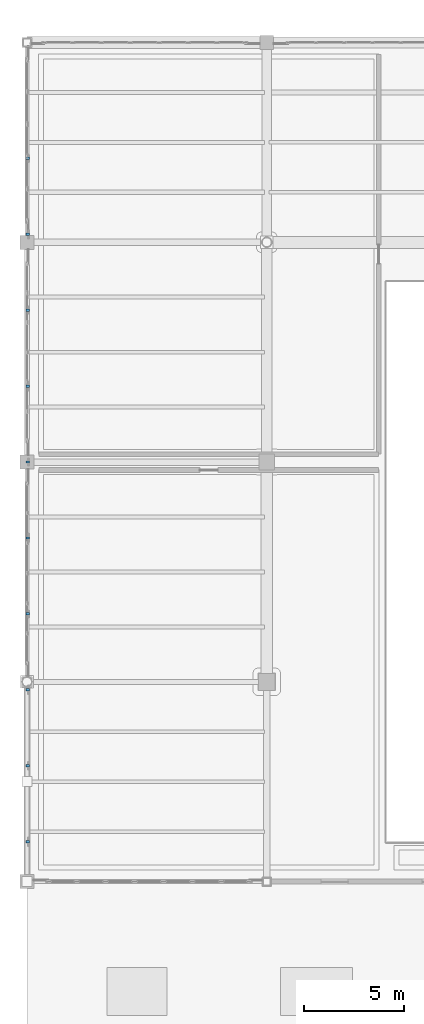
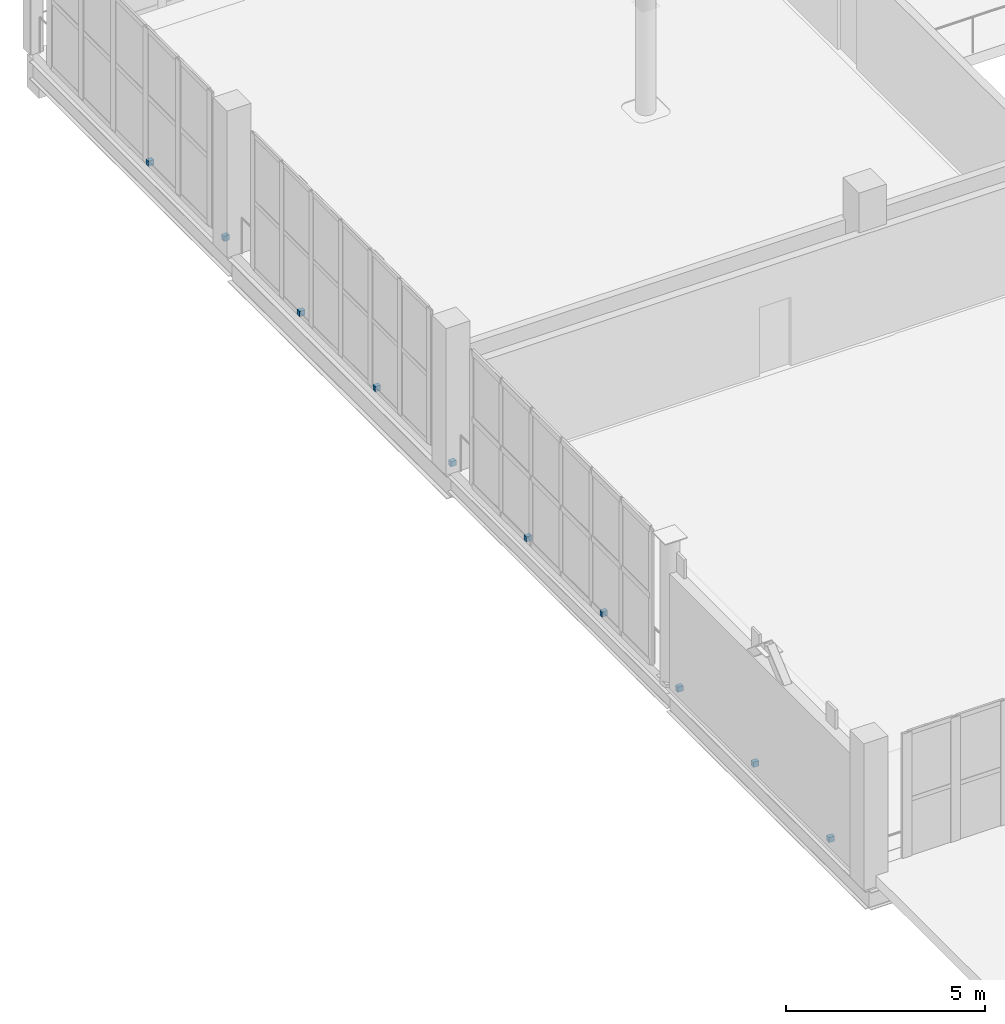
# One storey, part 92 of 108: 10 discrete accessories.
"""IFC4 building model written with IfcOpenShell, lengths in metres."""

from ifc_helpers import new_model, si_unit, direction, frame, origin, origin_2d, place, context, subcontext, project, spatial, rectangle, extrude, material, layer, layer_set, type_object, element, save


model = new_model("IFC4")

# Units and contexts
model_context = context("Model", 3, precision=1e-05, world=origin(), true_north=direction((0.0, 1.0)))
body_context = subcontext(model_context, "Body", "Model", "MODEL_VIEW")
ifc_project = project(units=[si_unit("LENGTHUNIT", "METRE"), si_unit("AREAUNIT", "SQUARE_METRE"), si_unit("VOLUMEUNIT", "CUBIC_METRE"), si_unit("PLANEANGLEUNIT", "RADIAN"), si_unit("MASSUNIT", "GRAM", prefix="KILO")], contexts=[model_context])

# Site, building, storey
site_placement = place(None, origin())
site = spatial("IfcSite", under=ifc_project, at=site_placement, CompositionType="ELEMENT")
building_placement = place(site_placement, origin())
building = spatial("IfcBuilding", under=site, at=building_placement, Name="Brinegate Civic Arena", CompositionType="ELEMENT")
storey_placement = place(building_placement, frame((0.0, 0.0, 10.199951171875)))
storey = spatial("IfcBuildingStorey", under=building, at=storey_placement, Name="L02", CompositionType="ELEMENT", Elevation=10.199951171875)

# Discrete accessories
ifc_material = material(Name="Galvanized hurricane steel", Category="steel")
ifc_layer = layer(ifc_material, 0.080078125, Name="Galvanized hurricane steel")
ifc_layer_set = layer_set([ifc_layer], Name="Galvanized hurricane steel")
discrete_accessory_type = type_object("IfcDiscreteAccessoryType", Name="BRACKET-FACADE-160", PredefinedType="BRACKET", material=ifc_layer_set)
for number, where, z_axis, x_axis, name in (
    (1, (0.0400390625, 12.0, -0.02978515625), (0.0, 0.0, 1.0), (1.0, 0.0, 0.0), "Solar Fin Base Bracket BRK-FIN-WH-01"),
    (2, (0.0400390625, 15.800048828125, -0.02978515625), (0.0, 0.0, 1.0), (1.0, 0.0, 0.0), "Solar Fin Base Bracket BRK-FIN-WH-02"),
    (3, (0.0400390625, 19.60009765625, -0.02978515625), (0.0, 0.0, 1.0), (1.0, 0.0, 0.0), "Solar Fin Base Bracket BRK-FIN-WH-03"),
    (4, (0.0400390625, 23.39990234375, -0.02978515625), (0.0, 0.0, 1.0), (1.0, 0.0, 0.0), "Solar Fin Base Bracket BRK-FIN-WH-04"),
    (5, (0.0400390625, 27.199951171875, -0.02978515625), (0.0, 0.0, 1.0), (1.0, 0.0, 0.0), "Solar Fin Base Bracket BRK-FIN-WH-05"),
    (6, (0.0400390625, 31.0, -0.02978515625), (0.0, 0.0, 1.0), (1.0, 0.0, 0.0), "Solar Fin Base Bracket BRK-FIN-WH-06"),
    (7, (0.0400390625, 34.800048828125, -0.02978515625), (0.0, 0.0, 1.0), (1.0, 0.0, 0.0), "Solar Fin Base Bracket BRK-FIN-WH-07"),
    (8, (0.0400390625, 38.60009765625, -0.02978515625), (0.0, 0.0, 1.0), (1.0, 0.0, 0.0), "Solar Fin Base Bracket BRK-FIN-WH-08"),
    (9, (0.0400390625, 42.39990234375, -0.02978515625), (0.0, 0.0, 1.0), (1.0, 0.0, 0.0), "Solar Fin Base Bracket BRK-FIN-WH-09"),
    (10, (0.0400390625, 46.199951171875, -0.02978515625), (0.0, 0.0, 1.0), (1.0, 0.0, 0.0), "Solar Fin Base Bracket BRK-FIN-WH-10"),
):
    element("IfcDiscreteAccessory", number, at=place(storey_placement, frame(where, z_axis=z_axis, x_axis=x_axis)), inside=storey, type_object=discrete_accessory_type, Name=name, PredefinedType="BRACKET", context=body_context, shape_type="SweptSolid", body=[
        extrude(rectangle(XDim=0.159912109375, YDim=0.1201171875, at=origin_2d()), origin(), (0.0, 0.0, 1.0), 0.159912109375),
    ])

save(model, "model.ifc")
